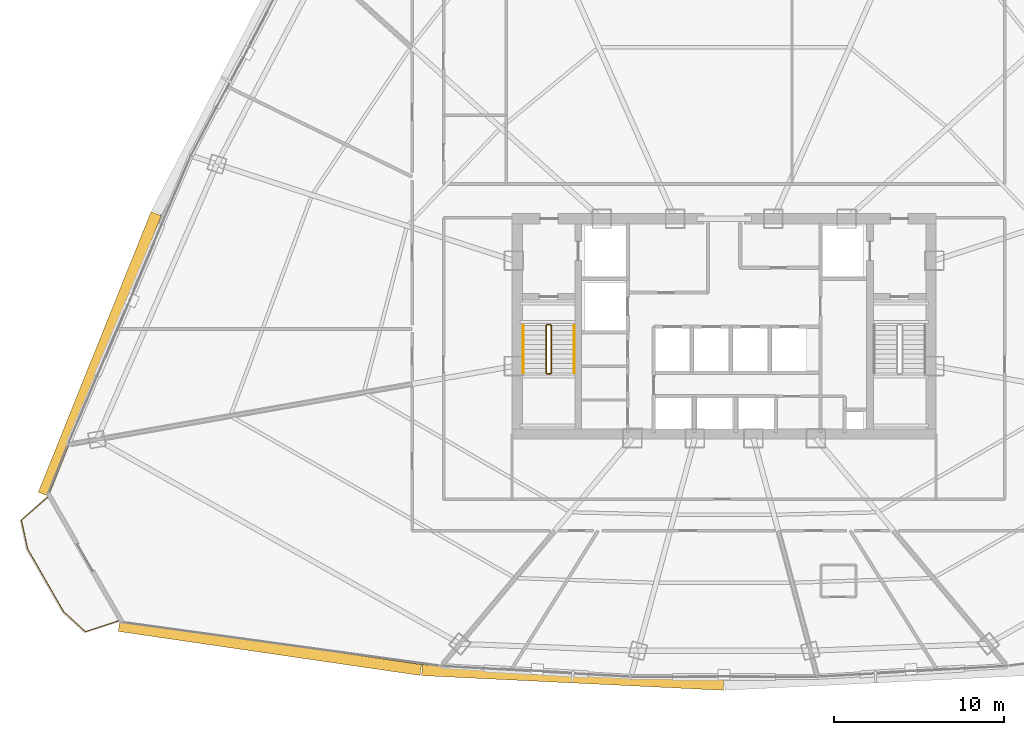
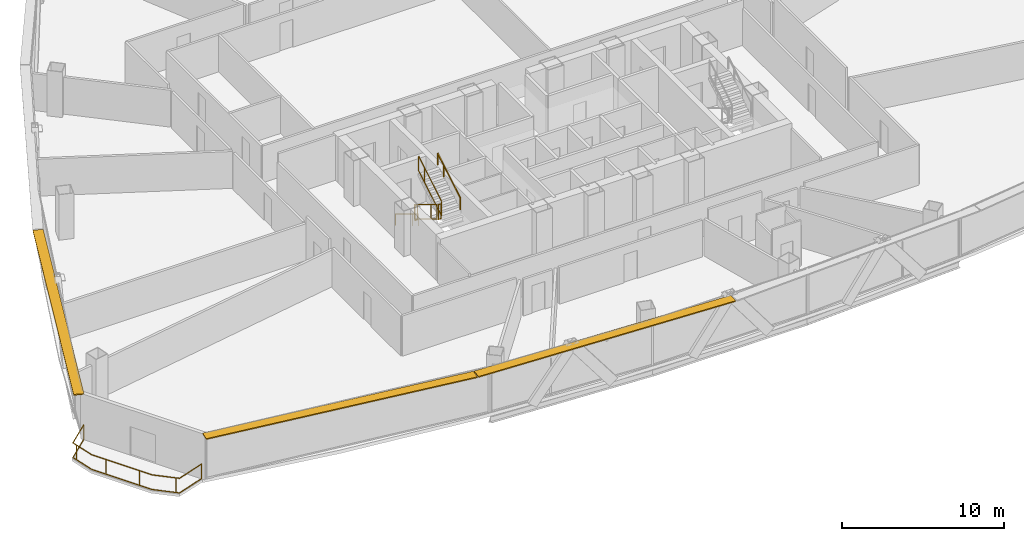
# One storey, part 36 of 39: 7 railings, 3 shading devices.
"""IFC4 building model written with IfcOpenShell, lengths in metres."""

from ifc_helpers import new_model, si_unit, direction, frame, origin, origin_2d, place, context, subcontext, project, spatial, rectangle, extrude, source, transform, mapped, material, layer, layer_set, type_object, element, save


model = new_model("IFC4")

# Units and contexts
model_context = context("Model", 3, precision=1e-05, world=origin(), true_north=direction((0.0, 1.0)))
body_context = subcontext(model_context, "Body", "Model", "MODEL_VIEW")
ifc_project = project(units=[si_unit("LENGTHUNIT", "METRE"), si_unit("AREAUNIT", "SQUARE_METRE"), si_unit("VOLUMEUNIT", "CUBIC_METRE"), si_unit("PLANEANGLEUNIT", "RADIAN"), si_unit("MASSUNIT", "GRAM", prefix="KILO"), si_unit("THERMODYNAMICTEMPERATUREUNIT", "KELVIN"), si_unit("POWERUNIT", "WATT")], contexts=[model_context])

# Site, building, storey
site_placement = place(None, origin())
site = spatial("IfcSite", under=ifc_project, at=site_placement, CompositionType="ELEMENT")
building_placement = place(site_placement, origin())
building = spatial("IfcBuilding", under=site, at=building_placement, Name="Yunzhuo Pagoda Commons", CompositionType="ELEMENT")
storey_placement = place(building_placement, frame((0.0, 0.0, 148.22998046875)))
storey = spatial("IfcBuildingStorey", under=building, at=storey_placement, Name="L37", CompositionType="ELEMENT", Elevation=148.22998046875)

# Railings
ifc_material = material(Name="Anodized aluminium 6063-T6", Category="aluminium")
railing_type_1 = type_object("IfcRailingType", Name="GR-ST1 Stair Well Guardrail 1150", PredefinedType="GUARDRAIL", material=ifc_material)
railing_1_placement = place(storey_placement, frame((37.5, 33.89990234375, 0.167236328125)))
element("IfcRailing", 1, at=railing_1_placement, inside=storey, type_object=railing_type_1, Name="L37 ST1 stair guard 1", PredefinedType="GUARDRAIL", context=body_context, shape_type="SweptSolid", body=[
    extrude(rectangle(XDim=0.048095703125, YDim=0.048095703125, at=origin_2d()), frame((0.0, 0.0, 1.1259765625), z_axis=(0.0, -0.858442565357, 0.512909701589), x_axis=(1.0, 0.0, 0.0)), (0.0, 0.0, 1.0), 3.261474609375),
    extrude(rectangle(XDim=0.048095703125, YDim=0.048095703125, at=origin_2d()), frame((0.0, 0.0, 0.02392578125), z_axis=(0.0, -0.858442565357, 0.512909701589), x_axis=(1.0, 0.0, 0.0)), (0.0, 0.0, 1.0), 3.261474609375),
    extrude(rectangle(XDim=0.0419921875, YDim=0.0419921875, at=origin_2d()), origin(), (0.0, 0.0, 1.0), 1.101806640625),
    extrude(rectangle(XDim=0.0419921875, YDim=0.0419921875, at=origin_2d()), frame((0.0, -2.060302734375, 1.23095703125)), (0.0, 0.0, 1.0), 1.101806640625),
    extrude(rectangle(XDim=0.0419921875, YDim=0.0419921875, at=origin_2d()), frame((0.0, -2.7998046875, 1.6728515625)), (0.0, 0.0, 1.0), 1.101806640625),
])
railing_2_placement = place(storey_placement, frame((37.550048828125, 31.050048828125, 1.840087890625)))
element("IfcRailing", 2, at=railing_2_placement, inside=storey, type_object=railing_type_1, Name="L37 ST1 stair guard 2", PredefinedType="GUARDRAIL", context=body_context, shape_type="SweptSolid", body=[
    extrude(rectangle(XDim=0.048095703125, YDim=0.048095703125, at=origin_2d()), frame((0.0, 0.0, 1.1259765625), z_axis=(1.0, 0.0, 0.0), x_axis=(0.0, 1.0, 0.0)), (0.0, 0.0, 1.0), 0.199951171875),
    extrude(rectangle(XDim=0.048095703125, YDim=0.048095703125, at=origin_2d()), frame((0.0, 0.0, 0.02392578125), z_axis=(1.0, 0.0, 0.0), x_axis=(0.0, 1.0, 0.0)), (0.0, 0.0, 1.0), 0.199951171875),
    extrude(rectangle(XDim=0.0419921875, YDim=0.0419921875, at=origin_2d()), origin(), (0.0, 0.0, 1.0), 1.101806640625),
    extrude(rectangle(XDim=0.0419921875, YDim=0.0419921875, at=origin_2d()), frame((0.199951171875, 0.0, 0.0)), (0.0, 0.0, 1.0), 1.101806640625),
])
railing_3_placement = place(storey_placement, frame((37.800048828125, 31.10009765625, 2.00732421875)))
element("IfcRailing", 3, at=railing_3_placement, inside=storey, type_object=railing_type_1, Name="L37 ST1 stair guard 3", PredefinedType="GUARDRAIL", context=body_context, shape_type="SweptSolid", body=[
    extrude(rectangle(XDim=0.048095703125, YDim=0.048095703125, at=origin_2d()), frame((0.0, 0.0, 1.1259765625), z_axis=(0.0, 0.858475523978, 0.512854535645), x_axis=(-1.0, 0.0, 0.0)), (0.0, 0.0, 1.0), 3.261474609375),
    extrude(rectangle(XDim=0.048095703125, YDim=0.048095703125, at=origin_2d()), frame((0.0, 0.0, 0.02392578125), z_axis=(0.0, 0.858475523978, 0.512854535645), x_axis=(-1.0, 0.0, 0.0)), (0.0, 0.0, 1.0), 3.261474609375),
    extrude(rectangle(XDim=0.0419921875, YDim=0.0419921875, at=origin_2d()), origin(), (0.0, 0.0, 1.0), 1.101806640625),
    extrude(rectangle(XDim=0.0419921875, YDim=0.0419921875, at=origin_2d()), frame((0.0, 2.060302734375, 1.23095703125)), (0.0, 0.0, 1.0), 1.101806640625),
    extrude(rectangle(XDim=0.0419921875, YDim=0.0419921875, at=origin_2d()), frame((0.0, 2.7998046875, 1.672607421875)), (0.0, 0.0, 1.0), 1.101806640625),
])
railing_4_placement = place(storey_placement, frame((37.550048828125, 33.949951171875, 0.0)))
element("IfcRailing", 4, at=railing_4_placement, inside=storey, type_object=railing_type_1, Name="L37 ST1 stair guard 4", PredefinedType="GUARDRAIL", context=body_context, shape_type="SweptSolid", body=[
    extrude(rectangle(XDim=0.048095703125, YDim=0.048095703125, at=origin_2d()), frame((0.0, 0.0, 1.1259765625), z_axis=(1.0, 0.0, 0.0), x_axis=(0.0, 1.0, 0.0)), (0.0, 0.0, 1.0), 0.199951171875),
    extrude(rectangle(XDim=0.048095703125, YDim=0.048095703125, at=origin_2d()), frame((0.0, 0.0, 0.02392578125), z_axis=(1.0, 0.0, 0.0), x_axis=(0.0, 1.0, 0.0)), (0.0, 0.0, 1.0), 0.199951171875),
    extrude(rectangle(XDim=0.0419921875, YDim=0.0419921875, at=origin_2d()), origin(), (0.0, 0.0, 1.0), 1.101806640625),
    extrude(rectangle(XDim=0.0419921875, YDim=0.0419921875, at=origin_2d()), frame((0.199951171875, 0.0, 0.0)), (0.0, 0.0, 1.0), 1.101806640625),
])
railing_type_2 = type_object("IfcRailingType", Name="HR-ST1 Stair Handrail 900", PredefinedType="HANDRAIL", material=ifc_material)
railing_5_placement = place(storey_placement, frame((36.14990234375, 33.89990234375, 0.167236328125)))
element("IfcRailing", 5, at=railing_5_placement, inside=storey, type_object=railing_type_2, Name="L37 ST1 stair handrail 1", PredefinedType="HANDRAIL", context=body_context, shape_type="SweptSolid", body=[
    extrude(rectangle(XDim=0.048095703125, YDim=0.048095703125, at=origin_2d()), frame((0.0, 0.0, 0.8759765625), z_axis=(0.0, -0.858442565357, 0.512909701589), x_axis=(1.0, 0.0, 0.0)), (0.0, 0.0, 1.0), 3.261474609375),
    extrude(rectangle(XDim=0.0419921875, YDim=0.0419921875, at=origin_2d()), origin(), (0.0, 0.0, 1.0), 0.851806640625),
    extrude(rectangle(XDim=0.0419921875, YDim=0.0419921875, at=origin_2d()), frame((0.0, -2.060302734375, 1.23095703125)), (0.0, 0.0, 1.0), 0.851806640625),
    extrude(rectangle(XDim=0.0419921875, YDim=0.0419921875, at=origin_2d()), frame((0.0, -2.7998046875, 1.6728515625)), (0.0, 0.0, 1.0), 0.851806640625),
])
railing_6_placement = place(storey_placement, frame((39.14990234375, 31.10009765625, 2.00732421875)))
element("IfcRailing", 6, at=railing_6_placement, inside=storey, type_object=railing_type_2, Name="L37 ST1 stair handrail 2", PredefinedType="HANDRAIL", context=body_context, shape_type="SweptSolid", body=[
    extrude(rectangle(XDim=0.048095703125, YDim=0.048095703125, at=origin_2d()), frame((0.0, 0.0, 0.8759765625), z_axis=(0.0, 0.858475523978, 0.512854535645), x_axis=(-1.0, 0.0, 0.0)), (0.0, 0.0, 1.0), 3.261474609375),
    extrude(rectangle(XDim=0.0419921875, YDim=0.0419921875, at=origin_2d()), origin(), (0.0, 0.0, 1.0), 0.851806640625),
    extrude(rectangle(XDim=0.0419921875, YDim=0.0419921875, at=origin_2d()), frame((0.0, 2.060302734375, 1.23095703125)), (0.0, 0.0, 1.0), 0.851806640625),
    extrude(rectangle(XDim=0.0419921875, YDim=0.0419921875, at=origin_2d()), frame((0.0, 2.7998046875, 1.672607421875)), (0.0, 0.0, 1.0), 0.851806640625),
])
railing_type_3 = type_object("IfcRailingType", Name="RL-BAL1 Exterior Terrace & Balcony Balustrade 1150", PredefinedType="BALUSTRADE", material=ifc_material)
railing_7_placement = place(storey_placement, frame((8.103515625, 23.773681640625, 0.0)))
element("IfcRailing", 7, at=railing_7_placement, inside=storey, type_object=railing_type_3, Name="L37 corner balcony balustrade V1", PredefinedType="BALUSTRADE", context=body_context, shape_type="SweptSolid", body=[
    extrude(rectangle(XDim=0.048095703125, YDim=0.048095703125, at=origin_2d()), frame((0.0, 0.0, 1.1259765625), z_axis=(-0.753933830692, -0.656950362614, 0.0), x_axis=(0.656950362614, -0.753933830692, 0.0)), (0.0, 0.0, 1.0), 2.05908203125),
    extrude(rectangle(XDim=0.048095703125, YDim=0.048095703125, at=origin_2d()), frame((0.0, 0.0, 0.02392578125), z_axis=(-0.753933830692, -0.656950362614, 0.0), x_axis=(0.656950362614, -0.753933830692, 0.0)), (0.0, 0.0, 1.0), 2.05908203125),
    extrude(rectangle(XDim=0.048095703125, YDim=0.048095703125, at=origin_2d()), frame((-1.552490234375, -1.352783203125, 1.1259765625), z_axis=(0.210380911568, -0.977619492465, 0.0), x_axis=(0.977619492465, 0.210380911568, 0.0)), (0.0, 0.0, 1.0), 1.741943359375),
    extrude(rectangle(XDim=0.048095703125, YDim=0.048095703125, at=origin_2d()), frame((-1.552490234375, -1.352783203125, 0.02392578125), z_axis=(0.210380911568, -0.977619492465, 0.0), x_axis=(0.977619492465, 0.210380911568, 0.0)), (0.0, 0.0, 1.0), 1.741943359375),
    extrude(rectangle(XDim=0.048095703125, YDim=0.048095703125, at=origin_2d()), frame((-1.18603515625, -3.0556640625, 1.1259765625), z_axis=(0.497938246053, -0.867212490176, 0.0), x_axis=(0.867212490176, 0.497938246053, 0.0)), (0.0, 0.0, 1.0), 4.27880859375),
    extrude(rectangle(XDim=0.048095703125, YDim=0.048095703125, at=origin_2d()), frame((-1.18603515625, -3.0556640625, 0.02392578125), z_axis=(0.497938246053, -0.867212490176, 0.0), x_axis=(0.867212490176, 0.497938246053, 0.0)), (0.0, 0.0, 1.0), 4.27880859375),
    extrude(rectangle(XDim=0.048095703125, YDim=0.048095703125, at=origin_2d()), frame((0.944580078125, -6.766357421875, 1.1259765625), z_axis=(0.738206272815, -0.674575050514, 0.0), x_axis=(0.674575050514, 0.738206272815, 0.0)), (0.0, 0.0, 1.0), 1.741943359375),
    extrude(rectangle(XDim=0.048095703125, YDim=0.048095703125, at=origin_2d()), frame((0.944580078125, -6.766357421875, 0.02392578125), z_axis=(0.738206272815, -0.674575050514, 0.0), x_axis=(0.674575050514, 0.738206272815, 0.0)), (0.0, 0.0, 1.0), 1.741943359375),
    extrude(rectangle(XDim=0.048095703125, YDim=0.048095703125, at=origin_2d()), frame((2.23046875, -7.94140625, 1.1259765625), z_axis=(0.947419062147, 0.319995501031, 0.0), x_axis=(-0.319995501031, 0.947419062147, 0.0)), (0.0, 0.0, 1.0), 2.05908203125),
    extrude(rectangle(XDim=0.048095703125, YDim=0.048095703125, at=origin_2d()), frame((2.23046875, -7.94140625, 0.02392578125), z_axis=(0.947419062147, 0.319995501031, 0.0), x_axis=(-0.319995501031, 0.947419062147, 0.0)), (0.0, 0.0, 1.0), 2.05908203125),
    extrude(rectangle(XDim=0.0419921875, YDim=0.0419921875, at=origin_2d()), origin(), (0.0, 0.0, 1.0), 1.101806640625),
    extrude(rectangle(XDim=0.0419921875, YDim=0.0419921875, at=origin_2d()), frame((-1.480712890625, -1.68603515625, 0.0)), (0.0, 0.0, 1.0), 1.101806640625),
    extrude(rectangle(XDim=0.0419921875, YDim=0.0419921875, at=origin_2d()), frame((-0.688720703125, -3.921875, 0.0)), (0.0, 0.0, 1.0), 1.101806640625),
    extrude(rectangle(XDim=0.0419921875, YDim=0.0419921875, at=origin_2d()), frame((0.50634765625, -6.003173828125, 0.0)), (0.0, 0.0, 1.0), 1.101806640625),
    extrude(rectangle(XDim=0.0419921875, YDim=0.0419921875, at=origin_2d()), frame((2.066650390625, -7.791748046875, 0.0)), (0.0, 0.0, 1.0), 1.101806640625),
    extrude(rectangle(XDim=0.0419921875, YDim=0.0419921875, at=origin_2d()), frame((4.181396484375, -7.282470703125, 0.0)), (0.0, 0.0, 1.0), 1.101806640625),
])

# Shading devices
ifc_layer = layer(ifc_material, 0.080078125)
ifc_layer_set = layer_set([ifc_layer], Name="Anodized aluminium 6063-T6")
shading_device_type = type_object("IfcShadingDeviceType", Name="SH-SUN1 Pagoda Horizontal Sunshade Eave 650", PredefinedType="USERDEFINED", material=ifc_layer_set)
shared_shape_1 = source(origin(), body_context, "Body", "SweptSolid", [
    extrude(rectangle(XDim=17.98681640625, YDim=0.64990234375, at=origin_2d()), origin(), (0.0, 0.0, 1.0), 0.080078125),
])
shading_device_1_placement = place(storey_placement, frame((21.208984375, 14.882080078125, 3.340087890625), z_axis=(0.0, 0.0, 1.0), x_axis=(0.989510666697, -0.144459823108, 0.0)))
element("IfcShadingDevice", 8, at=shading_device_1_placement, inside=storey, type_object=shading_device_type, Name="L37 horizontal pagoda sunshade eave F1.1", ObjectType="SUNSHADE", PredefinedType="USERDEFINED", context=body_context, shape_type="MappedRepresentation", body=[
    mapped(shared_shape_1, transform((0.0, 0.0, 0.0), scale=1.0)),
])
shared_shape_2 = source(origin(), body_context, "Body", "SweptSolid", [
    extrude(rectangle(XDim=17.818603515625, YDim=0.64990234375, at=origin_2d()), origin(), (0.0, 0.0, 1.0), 0.080078125),
])
shading_device_2_placement = place(storey_placement, frame((39.069580078125, 13.14404296875, 3.340087890625), z_axis=(0.0, 0.0, 1.0), x_axis=(0.998818043775, -0.04860571396, 0.0)))
element("IfcShadingDevice", 9, at=shading_device_2_placement, inside=storey, type_object=shading_device_type, Name="L37 horizontal pagoda sunshade eave F1.2", ObjectType="SUNSHADE", PredefinedType="USERDEFINED", context=body_context, shape_type="MappedRepresentation", body=[
    mapped(shared_shape_2, transform((0.0, 0.0, 0.0), scale=1.0)),
])
shared_shape_3 = source(origin(), body_context, "Body", "SweptSolid", [
    extrude(rectangle(XDim=17.842041015625, YDim=0.64990234375, at=origin_2d()), origin(), (0.0, 0.0, 1.0), 0.080078125),
])
shading_device_3_placement = place(storey_placement, frame((11.176025390625, 32.228271484375, 3.340087890625), z_axis=(0.0, 0.0, 1.0), x_axis=(-0.372987782576, -0.927836253899, 0.0)))
element("IfcShadingDevice", 10, at=shading_device_3_placement, inside=storey, type_object=shading_device_type, Name="L37 horizontal pagoda sunshade eave F3.4", ObjectType="SUNSHADE", PredefinedType="USERDEFINED", context=body_context, shape_type="MappedRepresentation", body=[
    mapped(shared_shape_3, transform((0.0, 0.0, 0.0), scale=1.0)),
])

save(model, "model.ifc")
